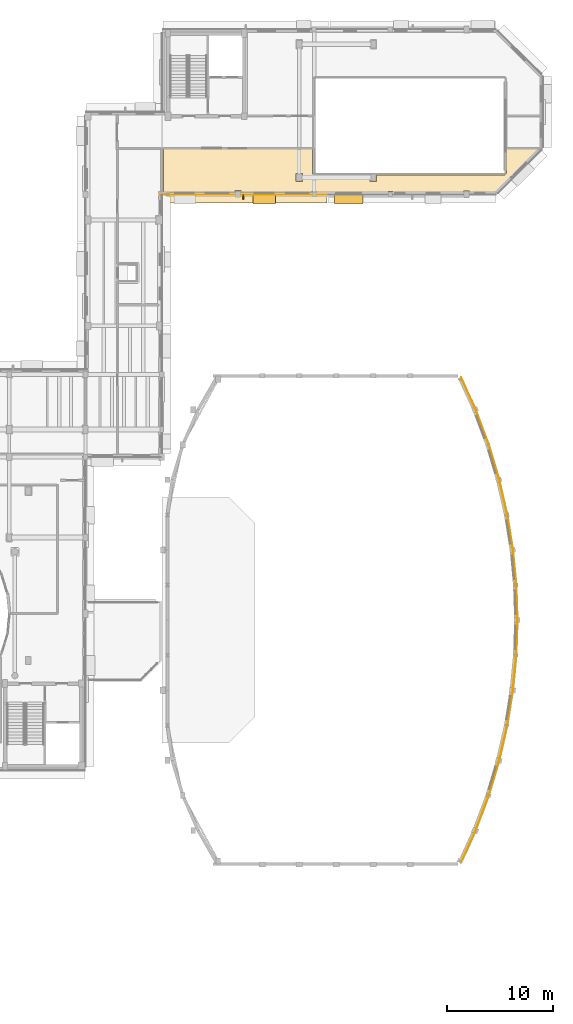
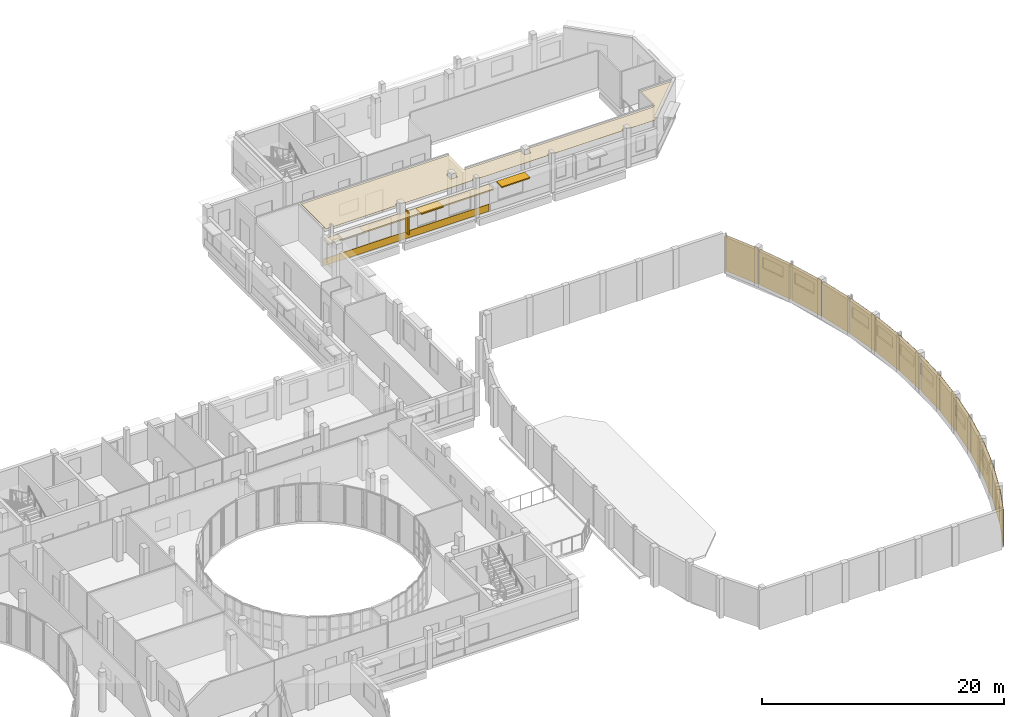
# One storey, part 87 of 89: 17 coverings, 3 shading devices.
"""IFC4 building model written with IfcOpenShell, lengths in metres."""

from ifc_helpers import new_model, si_unit, direction, frame, origin, origin_2d, place, context, subcontext, project, spatial, polyline, rectangle, outline, extrude, material, layer, layer_set, type_object, element, save


model = new_model("IFC4")

# Units and contexts
model_context = context("Model", 3, precision=1e-05, world=origin(), true_north=direction((0.0, 1.0)))
body_context = subcontext(model_context, "Body", "Model", "MODEL_VIEW")
ifc_project = project(units=[si_unit("LENGTHUNIT", "METRE"), si_unit("AREAUNIT", "SQUARE_METRE"), si_unit("VOLUMEUNIT", "CUBIC_METRE"), si_unit("PLANEANGLEUNIT", "RADIAN"), si_unit("MASSUNIT", "GRAM", prefix="KILO")], contexts=[model_context])

# Site, building, storey
site_placement = place(None, origin())
site = spatial("IfcSite", under=ifc_project, at=site_placement, CompositionType="ELEMENT")
building_placement = place(site_placement, origin())
building = spatial("IfcBuilding", under=site, at=building_placement, Name="Kelanivale Promenade Academy", CompositionType="ELEMENT")
storey_placement = place(building_placement, frame((0.0, 0.0, 12.199951171875)))
storey = spatial("IfcBuildingStorey", under=building, at=storey_placement, Name="L03", CompositionType="ELEMENT", Elevation=12.199951171875)

# Coverings
ifc_material_1 = material(Name="Sri Lankan terracotta fluted rainscreen cladding 45 mm", Category="masonry")
ifc_layer_1 = layer(ifc_material_1, 0.044921875)
ifc_layer_set_1 = layer_set([ifc_layer_1], Name="Sri Lankan terracotta fluted rainscreen cladding 45 mm")
covering_type_1 = type_object("IfcCoveringType", Name="COV-CLD1 Sri Lankan terracotta fluted rainscr", PredefinedType="CLADDING", material=ifc_layer_set_1)
covering_1_placement = place(storey_placement, frame((151.76806640625, 34.740966796875, 0.03955078125), z_axis=(0.0, 0.0, 1.0), x_axis=(0.414375580993, 0.910105970685, 0.0)))
element("IfcCovering", 1, at=covering_1_placement, inside=storey, type_object=covering_type_1, Name="Assembly Hall Arc Pavilion fluted terracotta cladding panel", PredefinedType="CLADDING", context=body_context, shape_type="SweptSolid", body=[
    extrude(rectangle(XDim=3.221923828125, YDim=0.044921875, at=origin_2d()), origin(), (0.0, 0.0, 1.0), 3.614990234375),
])
covering_2_placement = place(storey_placement, frame((153.076904296875, 37.912109375, 0.03955078125), z_axis=(0.0, 0.0, 1.0), x_axis=(0.350861216412, 0.936427470132, 0.0)))
element("IfcCovering", 2, at=covering_2_placement, inside=storey, type_object=covering_type_1, Name="Assembly Hall Arc Pavilion fluted terracotta cladding panel", PredefinedType="CLADDING", context=body_context, shape_type="SweptSolid", body=[
    extrude(rectangle(XDim=3.4599609375, YDim=0.044921875, at=origin_2d()), origin(), (0.0, 0.0, 1.0), 3.614990234375),
])
covering_3_placement = place(storey_placement, frame((154.197998046875, 41.237060546875, 0.03955078125), z_axis=(0.0, 0.0, 1.0), x_axis=(0.287026159226, 0.957922744234, 0.0)))
element("IfcCovering", 3, at=covering_3_placement, inside=storey, type_object=covering_type_1, Name="Assembly Hall Arc Pavilion fluted terracotta cladding panel", PredefinedType="CLADDING", context=body_context, shape_type="SweptSolid", body=[
    extrude(rectangle(XDim=3.3798828125, YDim=0.044921875, at=origin_2d()), origin(), (0.0, 0.0, 1.0), 3.614990234375),
])
covering_4_placement = place(storey_placement, frame((155.076904296875, 44.56201171875, 0.03955078125), z_axis=(0.0, 0.0, 1.0), x_axis=(0.223250116011, 0.974761194191, 0.0)))
element("IfcCovering", 4, at=covering_4_placement, inside=storey, type_object=covering_type_1, Name="Assembly Hall Arc Pavilion fluted terracotta cladding panel", PredefinedType="CLADDING", context=body_context, shape_type="SweptSolid", body=[
    extrude(rectangle(XDim=3.320068359375, YDim=0.044921875, at=origin_2d()), origin(), (0.0, 0.0, 1.0), 3.614990234375),
])
covering_5_placement = place(storey_placement, frame((155.72607421875, 47.886962890625, 0.03955078125), z_axis=(0.0, 0.0, 1.0), x_axis=(0.15936430246, 0.987219843349, 0.0)))
element("IfcCovering", 5, at=covering_5_placement, inside=storey, type_object=covering_type_1, Name="Assembly Hall Arc Pavilion fluted terracotta cladding panel", PredefinedType="CLADDING", context=body_context, shape_type="SweptSolid", body=[
    extrude(rectangle(XDim=3.277099609375, YDim=0.044921875, at=origin_2d()), origin(), (0.0, 0.0, 1.0), 3.614990234375),
])
covering_6_placement = place(storey_placement, frame((156.154052734375, 51.2119140625, 0.03955078125), z_axis=(0.0, 0.0, 1.0), x_axis=(0.095498287868, 0.995429594203, 0.0)))
element("IfcCovering", 6, at=covering_6_placement, inside=storey, type_object=covering_type_1, Name="Assembly Hall Arc Pavilion fluted terracotta cladding panel", PredefinedType="CLADDING", context=body_context, shape_type="SweptSolid", body=[
    extrude(rectangle(XDim=3.25, YDim=0.044921875, at=origin_2d()), origin(), (0.0, 0.0, 1.0), 3.614990234375),
])
for number, where, z_axis, x_axis, name in (
    (7, (156.366943359375, 54.5380859375, 0.03955078125), (0.0, 0.0, 1.0), (0.03193409516, 0.999489976721, 0.0), "Assembly Hall Arc Pavilion fluted terracotta cladding panel"),
    (8, (156.366943359375, 57.862060546875, 0.03955078125), (0.0, 0.0, 1.0), (-0.03193409516, 0.999489976721, 0.0), "Assembly Hall Arc Pavilion fluted terracotta cladding panel"),
):
    element("IfcCovering", number, at=place(storey_placement, frame(where, z_axis=z_axis, x_axis=x_axis)), inside=storey, type_object=covering_type_1, Name=name, PredefinedType="CLADDING", context=body_context, shape_type="SweptSolid", body=[
        extrude(rectangle(XDim=3.236083984375, YDim=0.044921875, at=origin_2d()), origin(), (0.0, 0.0, 1.0), 3.614990234375),
    ])
covering_7_placement = place(storey_placement, frame((156.154052734375, 61.18798828125, 0.03955078125), z_axis=(0.0, 0.0, 1.0), x_axis=(-0.095498287868, 0.995429594203, 0.0)))
element("IfcCovering", 9, at=covering_7_placement, inside=storey, type_object=covering_type_1, Name="Assembly Hall Arc Pavilion fluted terracotta cladding panel", PredefinedType="CLADDING", context=body_context, shape_type="SweptSolid", body=[
    extrude(rectangle(XDim=3.25, YDim=0.044921875, at=origin_2d()), origin(), (0.0, 0.0, 1.0), 3.614990234375),
])
covering_8_placement = place(storey_placement, frame((155.72607421875, 64.512939453125, 0.03955078125), z_axis=(0.0, 0.0, 1.0), x_axis=(-0.15936430246, 0.987219843349, 0.0)))
element("IfcCovering", 10, at=covering_8_placement, inside=storey, type_object=covering_type_1, Name="Assembly Hall Arc Pavilion fluted terracotta cladding panel", PredefinedType="CLADDING", context=body_context, shape_type="SweptSolid", body=[
    extrude(rectangle(XDim=3.277099609375, YDim=0.044921875, at=origin_2d()), origin(), (0.0, 0.0, 1.0), 3.614990234375),
])
covering_9_placement = place(storey_placement, frame((155.076904296875, 67.837890625, 0.03955078125), z_axis=(0.0, 0.0, 1.0), x_axis=(-0.223250116011, 0.974761194191, 0.0)))
element("IfcCovering", 11, at=covering_9_placement, inside=storey, type_object=covering_type_1, Name="Assembly Hall Arc Pavilion fluted terracotta cladding panel", PredefinedType="CLADDING", context=body_context, shape_type="SweptSolid", body=[
    extrude(rectangle(XDim=3.320068359375, YDim=0.044921875, at=origin_2d()), origin(), (0.0, 0.0, 1.0), 3.614990234375),
])
covering_10_placement = place(storey_placement, frame((154.197998046875, 71.1630859375, 0.03955078125), z_axis=(0.0, 0.0, 1.0), x_axis=(-0.287026159226, 0.957922744234, 0.0)))
element("IfcCovering", 12, at=covering_10_placement, inside=storey, type_object=covering_type_1, Name="Assembly Hall Arc Pavilion fluted terracotta cladding panel", PredefinedType="CLADDING", context=body_context, shape_type="SweptSolid", body=[
    extrude(rectangle(XDim=3.3798828125, YDim=0.044921875, at=origin_2d()), origin(), (0.0, 0.0, 1.0), 3.614990234375),
])
covering_11_placement = place(storey_placement, frame((153.076904296875, 74.488037109375, 0.03955078125), z_axis=(0.0, 0.0, 1.0), x_axis=(-0.350861216412, 0.936427470132, 0.0)))
element("IfcCovering", 13, at=covering_11_placement, inside=storey, type_object=covering_type_1, Name="Assembly Hall Arc Pavilion fluted terracotta cladding panel", PredefinedType="CLADDING", context=body_context, shape_type="SweptSolid", body=[
    extrude(rectangle(XDim=3.4599609375, YDim=0.044921875, at=origin_2d()), origin(), (0.0, 0.0, 1.0), 3.614990234375),
])
covering_12_placement = place(storey_placement, frame((151.76806640625, 77.658935546875, 0.03955078125), z_axis=(0.0, 0.0, 1.0), x_axis=(-0.414375580993, 0.910105970685, 0.0)))
element("IfcCovering", 14, at=covering_12_placement, inside=storey, type_object=covering_type_1, Name="Assembly Hall Arc Pavilion fluted terracotta cladding panel", PredefinedType="CLADDING", context=body_context, shape_type="SweptSolid", body=[
    extrude(rectangle(XDim=3.221923828125, YDim=0.044921875, at=origin_2d()), origin(), (0.0, 0.0, 1.0), 3.614990234375),
])
ifc_material_2 = material(Name="Warm ivory Art Deco stucco frieze band 40 mm", Category="masonry")
ifc_layer_2 = layer(ifc_material_2, 0.0400390625)
ifc_layer_set_2 = layer_set([ifc_layer_2], Name="Warm ivory Art Deco stucco frieze band 40 mm")
covering_type_2 = type_object("IfcCoveringType", Name="COV-CLD2 Warm ivory Art Deco stucco frieze ba", PredefinedType="CLADDING", material=ifc_layer_set_2)
covering_13_placement = place(storey_placement, frame((130.498046875, 96.0, 2.6552734375), z_axis=(0.0, 0.0, 1.0), x_axis=(1.0, 0.0, 0.0)))
element("IfcCovering", 15, at=covering_13_placement, inside=storey, type_object=covering_type_2, Name="Art Deco projecting 820 mm streamline sunshade eyebrow ledge", PredefinedType="CLADDING", context=body_context, shape_type="SweptSolid", body=[
    extrude(rectangle(XDim=15.7958984375, YDim=0.820068359375, at=origin_2d()), origin(), (0.0, 0.0, 1.0), 0.139892578125),
])
covering_14_placement = place(storey_placement, frame((130.498046875, 96.385009765625, 0.06005859375), z_axis=(0.0, 0.0, 1.0), x_axis=(1.0, 0.0, 0.0)))
element("IfcCovering", 16, at=covering_14_placement, inside=storey, type_object=covering_type_2, Name="Art Deco ivory stucco sill frieze band", PredefinedType="CLADDING", context=body_context, shape_type="SweptSolid", body=[
    extrude(rectangle(XDim=15.7958984375, YDim=0.0400390625, at=origin_2d()), origin(), (0.0, 0.0, 1.0), 0.719970703125),
])
ifc_material_3 = material(Name="Acoustic mineral-fibre ceiling tile 25 mm", Category="gypsum")
ifc_layer_3 = layer(ifc_material_3, 0.02490234375)
ifc_layer_set_3 = layer_set([ifc_layer_3], Name="Acoustic mineral-fibre ceiling tile 25 mm")
covering_type_3 = type_object("IfcCoveringType", Name="COV-CLG1 Acoustic mineral-fibre ceiling tile ", PredefinedType="CEILING", material=ifc_layer_set_3)
covering_15_placement = place(storey_placement, frame((0.0, 0.0, 3.550048828125)))
element("IfcCovering", 17, at=covering_15_placement, inside=storey, type_object=covering_type_3, Name="Upper Library Book Stacks acoustic suspended ceiling", PredefinedType="CEILING", context=body_context, shape_type="SweptSolid", body=[
    extrude(outline(polyline([(137.050048828125, 100.68994140625), (122.9599609375, 100.68994140625), (122.9599609375, 96.550048828125), (123.1630859375, 96.550048828125), (123.1630859375, 96.551025390625), (123.1630859375, 96.554931640625), (123.1640625, 96.55908203125), (123.166015625, 96.56201171875), (123.1669921875, 96.56591796875), (123.1689453125, 96.569091796875), (123.172119140625, 96.572021484375), (123.174072265625, 96.574951171875), (123.177001953125, 96.577880859375), (123.179931640625, 96.580078125), (123.18408203125, 96.58203125), (123.18701171875, 96.583984375), (123.19091796875, 96.5849609375), (123.195068359375, 96.5859375), (123.198974609375, 96.5869140625), (123.202880859375, 96.5869140625), (123.4970703125, 96.5869140625), (123.5009765625, 96.5869140625), (123.5048828125, 96.5859375), (123.509033203125, 96.5849609375), (123.512939453125, 96.583984375), (123.51611328125, 96.58203125), (123.52001953125, 96.580078125), (123.52294921875, 96.577880859375), (123.52587890625, 96.574951171875), (123.528076171875, 96.572021484375), (123.531005859375, 96.569091796875), (123.532958984375, 96.56591796875), (123.533935546875, 96.56201171875), (123.535888671875, 96.55908203125), (123.537109375, 96.554931640625), (123.537109375, 96.551025390625), (123.537109375, 96.550048828125), (129.68994140625, 96.550048828125), (129.68994140625, 96.719970703125), (129.68994140625, 96.72412109375), (129.69091796875, 96.72802734375), (129.69189453125, 96.73193359375), (129.693115234375, 96.735107421875), (129.695068359375, 96.739013671875), (129.697021484375, 96.741943359375), (129.698974609375, 96.7451171875), (129.701904296875, 96.748046875), (129.705078125, 96.7509765625), (129.7080078125, 96.7529296875), (129.7109375, 96.7548828125), (129.715087890625, 96.757080078125), (129.718017578125, 96.758056640625), (129.721923828125, 96.759033203125), (129.72607421875, 96.760009765625), (129.72998046875, 96.760009765625), (130.27001953125, 96.760009765625), (130.27392578125, 96.760009765625), (130.278076171875, 96.759033203125), (130.281982421875, 96.758056640625), (130.284912109375, 96.757080078125), (130.2890625, 96.7548828125), (130.2919921875, 96.7529296875), (130.294921875, 96.7509765625), (130.298095703125, 96.748046875), (130.301025390625, 96.7451171875), (130.302978515625, 96.741943359375), (130.304931640625, 96.739013671875), (130.306884765625, 96.735107421875), (130.30810546875, 96.73193359375), (130.30908203125, 96.72802734375), (130.31005859375, 96.72412109375), (130.31005859375, 96.719970703125), (130.31005859375, 96.550048828125), (136.965087890625, 96.550048828125), (136.965087890625, 96.669921875), (136.965087890625, 96.674072265625), (136.966064453125, 96.677978515625), (136.967041015625, 96.681884765625), (136.968017578125, 96.68505859375), (136.969970703125, 96.68896484375), (136.971923828125, 96.69189453125), (136.97412109375, 96.695068359375), (136.97705078125, 96.697998046875), (136.97998046875, 96.700927734375), (136.98291015625, 96.702880859375), (136.986083984375, 96.705078125), (136.989990234375, 96.70703125), (136.992919921875, 96.7080078125), (136.9970703125, 96.708984375), (137.0009765625, 96.7099609375), (137.0048828125, 96.7099609375), (137.39501953125, 96.7099609375), (137.39892578125, 96.7099609375), (137.403076171875, 96.708984375), (137.406982421875, 96.7080078125), (137.409912109375, 96.70703125), (137.4140625, 96.705078125), (137.4169921875, 96.702880859375), (137.419921875, 96.700927734375), (137.423095703125, 96.697998046875), (137.426025390625, 96.695068359375), (137.427978515625, 96.69189453125), (137.429931640625, 96.68896484375), (137.431884765625, 96.68505859375), (137.43310546875, 96.681884765625), (137.43408203125, 96.677978515625), (137.43505859375, 96.674072265625), (137.43505859375, 96.669921875), (137.43505859375, 96.550048828125), (144.1650390625, 96.550048828125), (144.1650390625, 96.669921875), (144.1650390625, 96.674072265625), (144.166015625, 96.677978515625), (144.1669921875, 96.681884765625), (144.16796875, 96.68505859375), (144.169921875, 96.68896484375), (144.172119140625, 96.69189453125), (144.174072265625, 96.695068359375), (144.177001953125, 96.697998046875), (144.179931640625, 96.700927734375), (144.18310546875, 96.702880859375), (144.18603515625, 96.705078125), (144.18994140625, 96.70703125), (144.193115234375, 96.7080078125), (144.197021484375, 96.708984375), (144.200927734375, 96.7099609375), (144.205078125, 96.7099609375), (144.594970703125, 96.7099609375), (144.59912109375, 96.7099609375), (144.60302734375, 96.708984375), (144.60693359375, 96.7080078125), (144.610107421875, 96.70703125), (144.614013671875, 96.705078125), (144.616943359375, 96.702880859375), (144.6201171875, 96.700927734375), (144.623046875, 96.697998046875), (144.6259765625, 96.695068359375), (144.6279296875, 96.69189453125), (144.6298828125, 96.68896484375), (144.632080078125, 96.68505859375), (144.633056640625, 96.681884765625), (144.634033203125, 96.677978515625), (144.635009765625, 96.674072265625), (144.635009765625, 96.669921875), (144.635009765625, 96.550048828125), (151.31494140625, 96.550048828125), (151.31494140625, 96.695068359375), (151.31494140625, 96.698974609375), (151.31591796875, 96.702880859375), (151.31689453125, 96.70703125), (151.318115234375, 96.7099609375), (151.320068359375, 96.714111328125), (151.322021484375, 96.717041015625), (151.323974609375, 96.719970703125), (151.326904296875, 96.722900390625), (151.330078125, 96.72607421875), (151.3330078125, 96.72802734375), (151.3359375, 96.72998046875), (151.340087890625, 96.73193359375), (151.343017578125, 96.73291015625), (151.346923828125, 96.73388671875), (151.35107421875, 96.735107421875), (151.35498046875, 96.735107421875), (151.844970703125, 96.735107421875), (151.84912109375, 96.735107421875), (151.85302734375, 96.73388671875), (151.85693359375, 96.73291015625), (151.860107421875, 96.73193359375), (151.864013671875, 96.72998046875), (151.866943359375, 96.72802734375), (151.8701171875, 96.72607421875), (151.873046875, 96.722900390625), (151.8759765625, 96.719970703125), (151.8779296875, 96.717041015625), (151.8798828125, 96.714111328125), (151.882080078125, 96.7099609375), (151.883056640625, 96.70703125), (151.884033203125, 96.702880859375), (151.885009765625, 96.698974609375), (151.885009765625, 96.695068359375), (151.885009765625, 96.550048828125), (154.37109375, 96.550048828125), (158.510986328125, 100.68994140625), (155.35009765625, 100.68994140625), (155.35009765625, 98.449951171875), (155.35009765625, 98.443115234375), (155.34912109375, 98.430908203125), (155.34912109375, 98.430908203125), (155.347900390625, 98.419921875), (155.346923828125, 98.4140625), (155.345947265625, 98.407958984375), (155.343017578125, 98.39599609375), (155.340087890625, 98.387939453125), (155.3359375, 98.376953125), (155.333984375, 98.37109375), (155.3291015625, 98.360107421875), (155.324951171875, 98.35205078125), (155.319091796875, 98.342041015625), (155.31298828125, 98.333984375), (155.305908203125, 98.324951171875), (155.302978515625, 98.321044921875), (155.294921875, 98.31201171875), (155.2880859375, 98.304931640625), (155.279052734375, 98.297119140625), (155.27490234375, 98.2939453125), (155.26611328125, 98.287109375), (155.258056640625, 98.281005859375), (155.248046875, 98.27490234375), (155.239990234375, 98.27099609375), (155.22900390625, 98.26611328125), (155.222900390625, 98.263916015625), (155.2119140625, 98.260009765625), (155.2041015625, 98.257080078125), (155.19189453125, 98.25390625), (155.18603515625, 98.2529296875), (155.179931640625, 98.251953125), (155.1689453125, 98.2509765625), (155.1689453125, 98.2509765625), (155.156982421875, 98.25), (155.14990234375, 98.25), (143.110107421875, 98.25), (143.110107421875, 97.655029296875), (143.110107421875, 97.65087890625), (143.10888671875, 97.64697265625), (143.10791015625, 97.64306640625), (143.10693359375, 97.639892578125), (143.10498046875, 97.635986328125), (143.10302734375, 97.633056640625), (143.10107421875, 97.6298828125), (143.097900390625, 97.626953125), (143.094970703125, 97.6240234375), (143.092041015625, 97.6220703125), (143.089111328125, 97.6201171875), (143.0849609375, 97.617919921875), (143.08203125, 97.616943359375), (143.077880859375, 97.615966796875), (143.073974609375, 97.614990234375), (143.070068359375, 97.614990234375), (142.530029296875, 97.614990234375), (142.52587890625, 97.614990234375), (142.52197265625, 97.615966796875), (142.51806640625, 97.616943359375), (142.514892578125, 97.617919921875), (142.510986328125, 97.6201171875), (142.508056640625, 97.6220703125), (142.5048828125, 97.6240234375), (142.501953125, 97.626953125), (142.4990234375, 97.6298828125), (142.4970703125, 97.633056640625), (142.4951171875, 97.635986328125), (142.492919921875, 97.639892578125), (142.491943359375, 97.64306640625), (142.490966796875, 97.64697265625), (142.489990234375, 97.65087890625), (142.489990234375, 97.655029296875), (142.489990234375, 98.25), (137.25, 98.25), (137.242919921875, 98.25), (137.23095703125, 98.2509765625), (137.23095703125, 98.2509765625), (137.219970703125, 98.251953125), (137.214111328125, 98.2529296875), (137.2080078125, 98.25390625), (137.196044921875, 98.257080078125), (137.18798828125, 98.260009765625), (137.177001953125, 98.263916015625), (137.1708984375, 98.26611328125), (137.159912109375, 98.27099609375), (137.152099609375, 98.27490234375), (137.14208984375, 98.281005859375), (137.134033203125, 98.287109375), (137.125, 98.2939453125), (137.12109375, 98.297119140625), (137.112060546875, 98.304931640625), (137.10498046875, 98.31201171875), (137.096923828125, 98.321044921875), (137.093994140625, 98.324951171875), (137.0869140625, 98.333984375), (137.0810546875, 98.342041015625), (137.074951171875, 98.35205078125), (137.071044921875, 98.360107421875), (137.06591796875, 98.37109375), (137.06396484375, 98.376953125), (137.06005859375, 98.387939453125), (137.056884765625, 98.39599609375), (137.053955078125, 98.407958984375), (137.052978515625, 98.4140625), (137.052001953125, 98.419921875), (137.051025390625, 98.430908203125), (137.051025390625, 98.430908203125), (137.050048828125, 98.443115234375), (137.050048828125, 98.449951171875), (137.050048828125, 100.68994140625)]), holes=[polyline([(136.070068359375, 98.385009765625), (136.073974609375, 98.385009765625), (136.077880859375, 98.384033203125), (136.08203125, 98.383056640625), (136.0849609375, 98.382080078125), (136.089111328125, 98.3798828125), (136.092041015625, 98.3779296875), (136.094970703125, 98.3759765625), (136.097900390625, 98.373046875), (136.10107421875, 98.3701171875), (136.10302734375, 98.366943359375), (136.10498046875, 98.364013671875), (136.10693359375, 98.360107421875), (136.10791015625, 98.35693359375), (136.10888671875, 98.35302734375), (136.110107421875, 98.34912109375), (136.110107421875, 98.344970703125), (136.110107421875, 97.655029296875), (136.110107421875, 97.65087890625), (136.10888671875, 97.64697265625), (136.10791015625, 97.64306640625), (136.10693359375, 97.639892578125), (136.10498046875, 97.635986328125), (136.10302734375, 97.633056640625), (136.10107421875, 97.6298828125), (136.097900390625, 97.626953125), (136.094970703125, 97.6240234375), (136.092041015625, 97.6220703125), (136.089111328125, 97.6201171875), (136.0849609375, 97.617919921875), (136.08203125, 97.616943359375), (136.077880859375, 97.615966796875), (136.073974609375, 97.614990234375), (136.070068359375, 97.614990234375), (135.530029296875, 97.614990234375), (135.52587890625, 97.614990234375), (135.52197265625, 97.615966796875), (135.51806640625, 97.616943359375), (135.514892578125, 97.617919921875), (135.510986328125, 97.6201171875), (135.508056640625, 97.6220703125), (135.5048828125, 97.6240234375), (135.501953125, 97.626953125), (135.4990234375, 97.6298828125), (135.4970703125, 97.633056640625), (135.4951171875, 97.635986328125), (135.492919921875, 97.639892578125), (135.491943359375, 97.64306640625), (135.490966796875, 97.64697265625), (135.489990234375, 97.65087890625), (135.489990234375, 97.655029296875), (135.489990234375, 98.344970703125), (135.489990234375, 98.34912109375), (135.490966796875, 98.35302734375), (135.491943359375, 98.35693359375), (135.492919921875, 98.360107421875), (135.4951171875, 98.364013671875), (135.4970703125, 98.366943359375), (135.4990234375, 98.3701171875), (135.501953125, 98.373046875), (135.5048828125, 98.3759765625), (135.508056640625, 98.3779296875), (135.510986328125, 98.3798828125), (135.514892578125, 98.382080078125), (135.51806640625, 98.383056640625), (135.52197265625, 98.384033203125), (135.52587890625, 98.385009765625), (135.530029296875, 98.385009765625), (136.070068359375, 98.385009765625)])]), origin(), (0.0, 0.0, 1.0), 0.02490234375),
])

# Shading devices
ifc_material_4 = material(Name="Precast concrete C40/50", Category="concrete")
ifc_layer_4 = layer(ifc_material_4, 0.1201171875)
ifc_layer_set_4 = layer_set([ifc_layer_4], Name="Precast concrete C40/50")
shading_device_type_1 = type_object("IfcShadingDeviceType", Name="SHD-01 Art Deco Sunshade Eyebrow 900mm", PredefinedType="USERDEFINED", material=ifc_layer_set_4)
shading_device_1_placement = place(storey_placement, frame((132.492919921875, 95.9599609375, 2.659912109375), z_axis=(0.0, 0.0, 1.0), x_axis=(1.0, 0.0, 0.0)))
element("IfcShadingDevice", 18, at=shading_device_1_placement, inside=storey, type_object=shading_device_type_1, Name="Art Deco 900 mm precast chajja window sunshade", ObjectType="SUNSHADE", PredefinedType="USERDEFINED", context=body_context, shape_type="SweptSolid", body=[
    extrude(rectangle(XDim=2.10009765625, YDim=0.89990234375, at=origin_2d()), origin(), (0.0, 0.0, 1.0), 0.1201171875),
])
shading_device_2_placement = place(storey_placement, frame((140.469970703125, 95.9599609375, 2.68505859375), z_axis=(0.0, 0.0, 1.0), x_axis=(1.0, 0.0, 0.0)))
element("IfcShadingDevice", 19, at=shading_device_2_placement, inside=storey, type_object=shading_device_type_1, Name="Art Deco 900 mm precast chajja window sunshade", ObjectType="SUNSHADE", PredefinedType="USERDEFINED", context=body_context, shape_type="SweptSolid", body=[
    extrude(rectangle(XDim=2.699951171875, YDim=0.89990234375, at=origin_2d()), origin(), (0.0, 0.0, 1.0), 0.1201171875),
])
ifc_material_5 = material(Name="Bronze anodised aluminium EN AW-6063 T6", Category="aluminium")
ifc_layer_5 = layer(ifc_material_5, 0.10009765625)
ifc_layer_set_5 = layer_set([ifc_layer_5], Name="Bronze anodised aluminium EN AW-6063 T6")
shading_device_type_2 = type_object("IfcShadingDeviceType", Name="SHD-03 Vertical Fluted Solar Fin", PredefinedType="USERDEFINED", material=ifc_layer_set_5)
shading_device_3_placement = place(storey_placement, frame((130.498046875, 96.179931640625, 0.7001953125), z_axis=(0.0, 0.0, 1.0), x_axis=(1.0, 0.0, 0.0)))
element("IfcShadingDevice", 20, at=shading_device_3_placement, inside=storey, type_object=shading_device_type_2, Name="Vertical fluted Art Deco solar fin", ObjectType="SOLAR FIN", PredefinedType="USERDEFINED", context=body_context, shape_type="SweptSolid", body=[
    extrude(rectangle(XDim=0.10009765625, YDim=0.449951171875, at=origin_2d()), origin(), (0.0, 0.0, 1.0), 2.300048828125),
])

save(model, "model.ifc")
